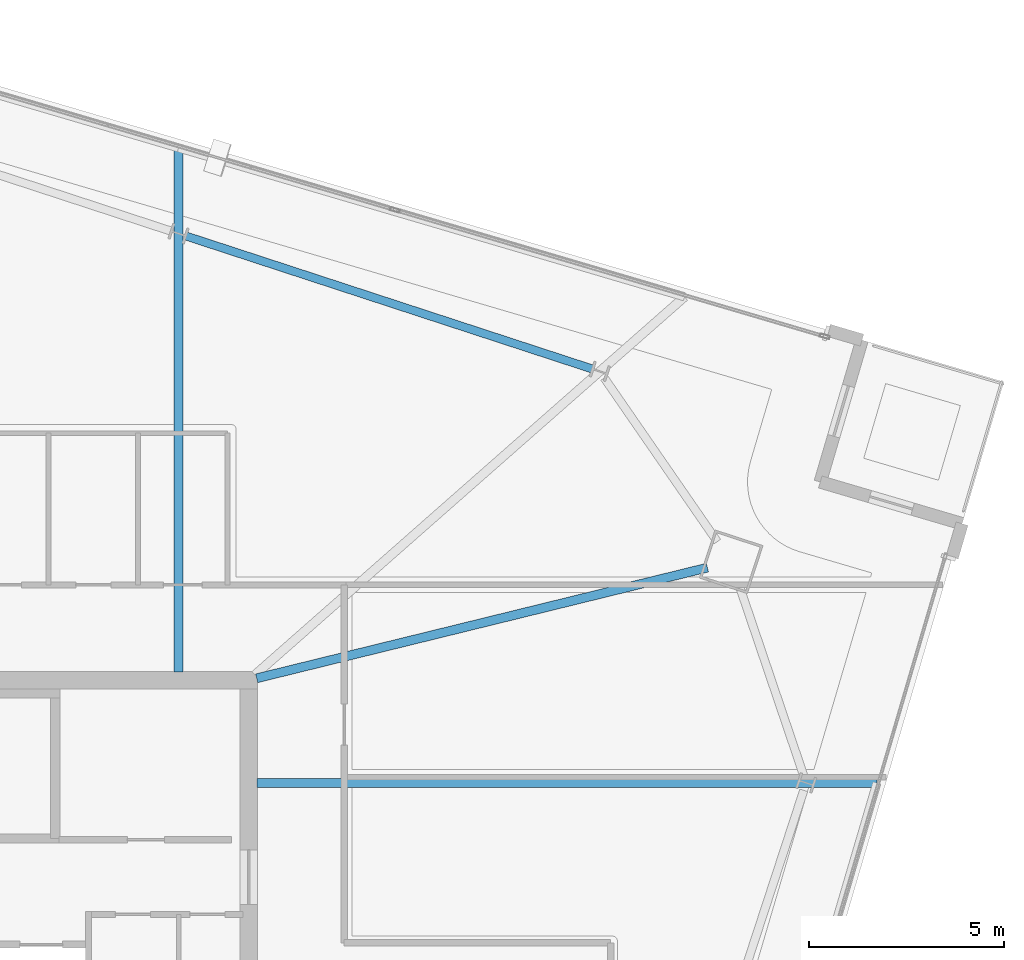
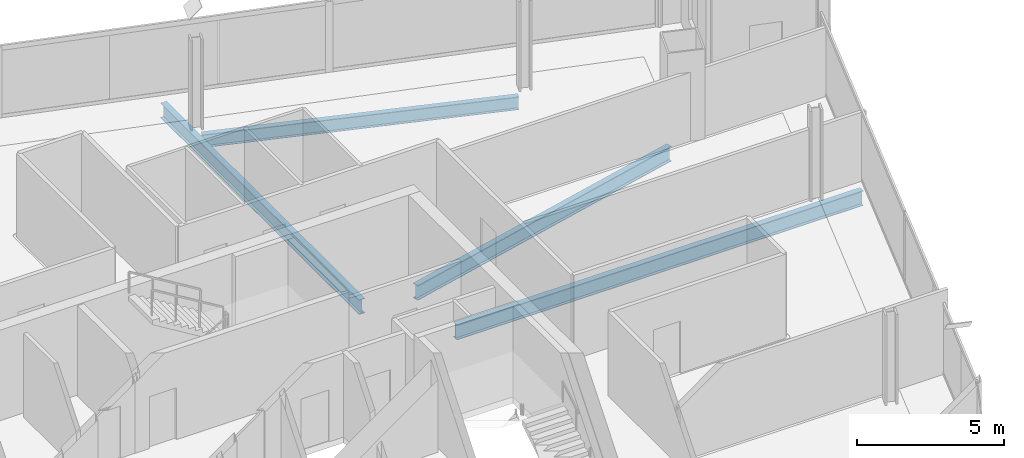
# One storey, part 16 of 26: 4 beams.
"""IFC4 building model written with IfcOpenShell, lengths in metres."""

from ifc_helpers import new_model, si_unit, direction, frame, origin, origin_2d, place, context, subcontext, project, spatial, i_section, extrude, material, material_profile, profile_set, type_object, element, save


model = new_model("IFC4")

# Units and contexts
model_context = context("Model", 3, precision=1e-05, world=origin(), true_north=direction((0.0, 1.0)))
body_context = subcontext(model_context, "Body", "Model", "MODEL_VIEW")
ifc_project = project(units=[si_unit("LENGTHUNIT", "METRE"), si_unit("AREAUNIT", "SQUARE_METRE"), si_unit("VOLUMEUNIT", "CUBIC_METRE"), si_unit("PLANEANGLEUNIT", "RADIAN"), si_unit("MASSUNIT", "GRAM", prefix="KILO")], contexts=[model_context])

# Site, building, storey
site_placement = place(None, origin())
site = spatial("IfcSite", under=ifc_project, at=site_placement, CompositionType="ELEMENT")
building_placement = place(site_placement, origin())
building = spatial("IfcBuilding", under=site, at=building_placement, Name="Haldenkirk Collegiate Tower", CompositionType="ELEMENT")
storey_placement = place(building_placement, frame((0.0, 0.0, 274.949951171875)))
storey = spatial("IfcBuildingStorey", under=building, at=storey_placement, Name="L69", CompositionType="ELEMENT", Elevation=274.949951171875)

# Beams
ifc_material = material(Name="Steel ASTM A992 Grade 50", Category="steel")
ifc_material_profile_1 = material_profile(ifc_material, i_section(OverallWidth=0.22998046875, OverallDepth=0.616943359375, WebThickness=0.01318359375, FlangeThickness=0.022216796875, at=origin_2d()), Name="W24X94")
ifc_profile_set_1 = profile_set([ifc_material_profile_1], Name="Steel ASTM A992 Grade 50")
beam_type_1 = type_object("IfcBeamType", Name="BM-GIRDER-W24X94", PredefinedType="BEAM", material=ifc_profile_set_1)
beam_1_placement = place(storey_placement, frame((56.783935546875, 36.893310546875, -0.578369140625), z_axis=(-0.971153636509, -0.238454637815, 0.0), x_axis=(0.238454637815, -0.971153636509, 0.0)))
element("IfcBeam", 1, at=beam_1_placement, inside=storey, type_object=beam_type_1, Name="L69 primary floor girder 02", PredefinedType="BEAM", context=body_context, shape_type="SweptSolid", body=[
    extrude(i_section(OverallWidth=0.22998046875, OverallDepth=0.616943359375, WebThickness=0.01318359375, FlangeThickness=0.022216796875, at=origin_2d()), origin(), (0.0, 0.0, 1.0), 11.9287109375),
])
beam_2_placement = place(storey_placement, frame((61.14111328125, 31.360107421875, -0.578369140625), z_axis=(-1.0, 0.0, 0.0), x_axis=(0.0, -1.0, 0.0)))
element("IfcBeam", 2, at=beam_2_placement, inside=storey, type_object=beam_type_1, Name="L69 primary floor girder 07", PredefinedType="BEAM", context=body_context, shape_type="SweptSolid", body=[
    extrude(i_section(OverallWidth=0.22998046875, OverallDepth=0.616943359375, WebThickness=0.01318359375, FlangeThickness=0.022216796875, at=origin_2d()), origin(), (0.0, 0.0, 1.0), 15.93603515625),
])
beam_3_placement = place(storey_placement, frame((43.18994140625, 47.68212890625, -0.578369140625), z_axis=(0.0, -1.0, 0.0), x_axis=(1.0, 0.0, 0.0)))
element("IfcBeam", 3, at=beam_3_placement, inside=storey, type_object=beam_type_1, Name="L69 primary floor girder 09", PredefinedType="BEAM", context=body_context, shape_type="SweptSolid", body=[
    extrude(i_section(OverallWidth=0.22998046875, OverallDepth=0.616943359375, WebThickness=0.01318359375, FlangeThickness=0.022216796875, at=origin_2d()), origin(), (0.0, 0.0, 1.0), 13.47705078125),
])
ifc_material_profile_2 = material_profile(ifc_material, i_section(OverallWidth=0.2099609375, OverallDepth=0.537109375, WebThickness=0.010986328125, FlangeThickness=0.017333984375, at=origin_2d()), Name="W21X68")
ifc_profile_set_2 = profile_set([ifc_material_profile_2], Name="Steel ASTM A992 Grade 50")
beam_type_2 = type_object("IfcBeamType", Name="BM-SPANDREL-W21X68", PredefinedType="SPANDREL", material=ifc_profile_set_2)
beam_4_placement = place(storey_placement, frame((53.825439453125, 41.99951171875, -0.538330078125), z_axis=(-0.950402144652, 0.311023734531, 0.0), x_axis=(-0.311023734531, -0.950402144652, 0.0)))
element("IfcBeam", 4, at=beam_4_placement, inside=storey, type_object=beam_type_2, Name="L69 perimeter spandrel beam 06", PredefinedType="SPANDREL", context=body_context, shape_type="SweptSolid", body=[
    extrude(i_section(OverallWidth=0.2099609375, OverallDepth=0.537109375, WebThickness=0.010986328125, FlangeThickness=0.017333984375, at=origin_2d()), origin(), (0.0, 0.0, 1.0), 10.98779296875),
])

save(model, "model.ifc")
